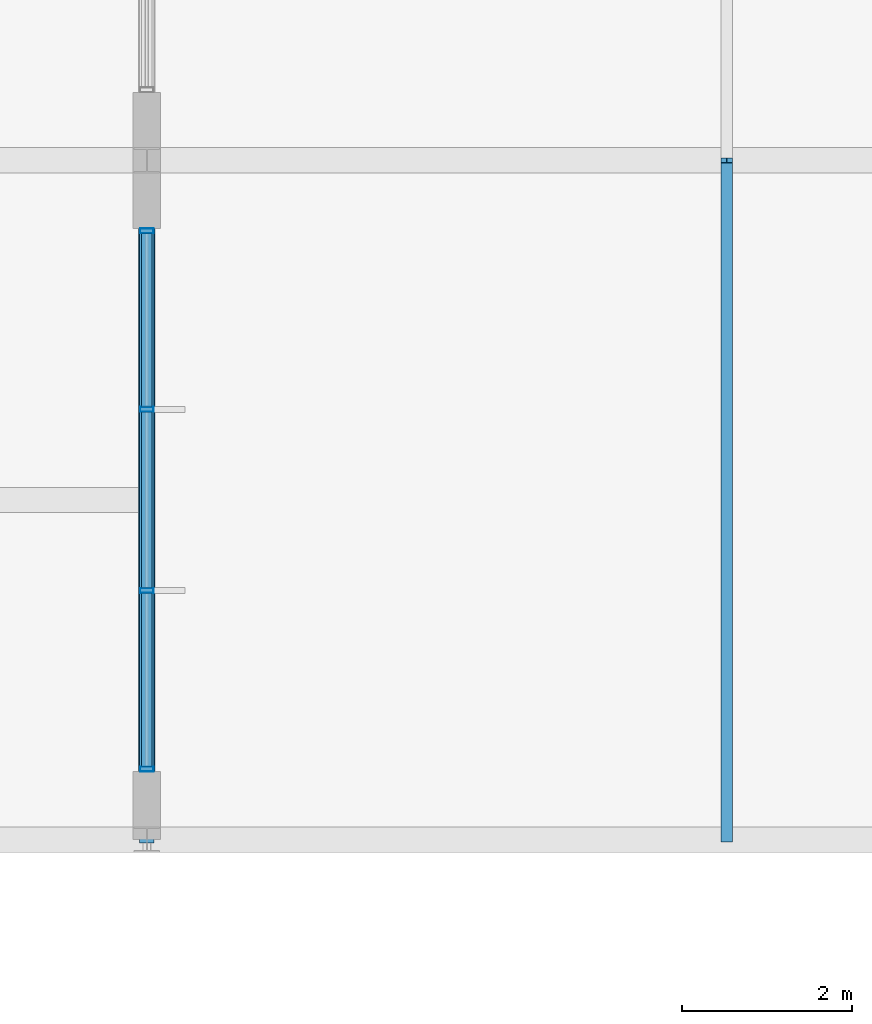
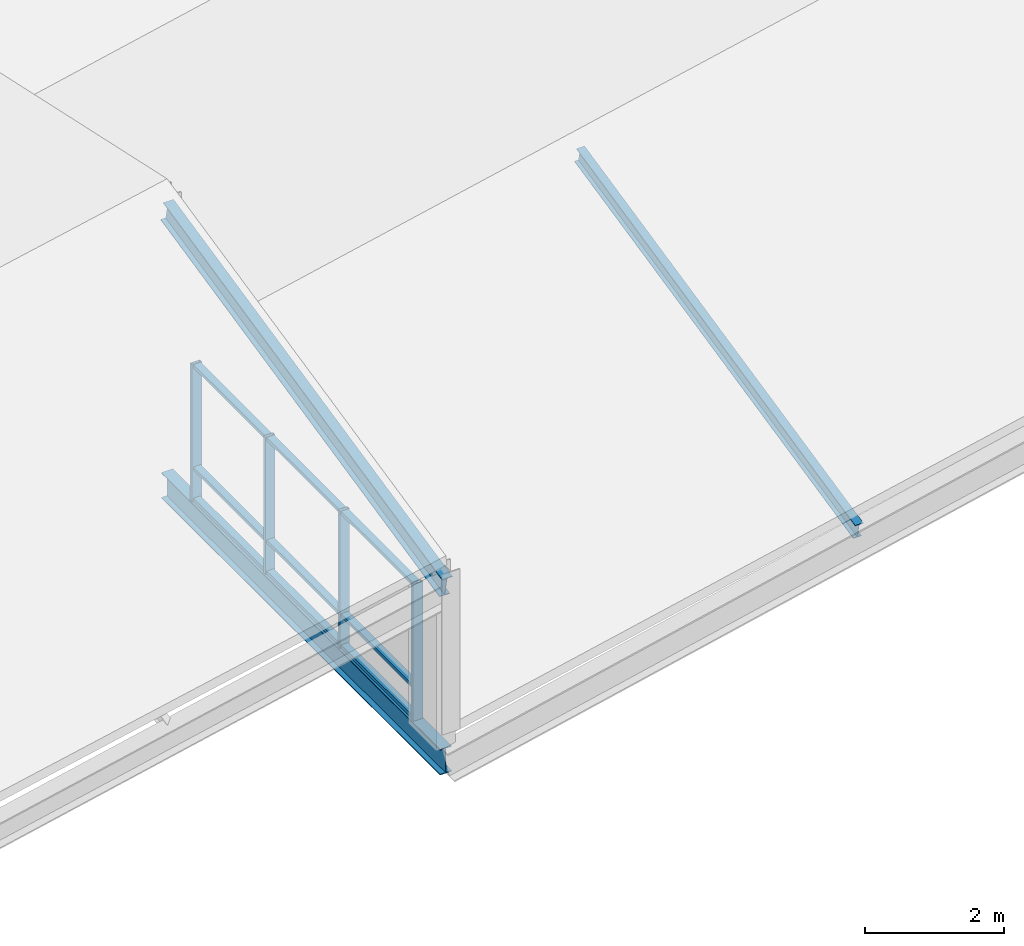
# One storey, part 42 of 109: 14 members, 2 beams, 1 element without a shape of its own.
"""IFC4 building model written with IfcOpenShell, lengths in metres."""

import ifcopenshell
import ifcopenshell.guid

model = None  # the IFC model being written
_history = None  # IfcOwnerHistory: only IFC2X3 demands one
_inside = {}  # id of a spatial element -> (the spatial element, [elements in it])
_under = {}  # id of a project, library or spatial element -> (it, [spatial elements below it])
_declared = {}  # id of a project -> (the project, [libraries it declares])
_typed = {}  # id of a type object -> (the type object, [elements of that type])
_made_of = {}  # id of a material, layer set ... -> (it, [elements and type objects made of it])


def new_model(schema):
    """Start an empty IFC model of exactly this schema.

    Asked for "IFC4X3", IfcOpenShell would pick the latest addendum, in which some entities
    have other attributes; the version numbers below select the first issue.
    IFC2X3 requires an IfcOwnerHistory on every rooted entity: one is made here for all.
    """
    global model, _history
    if schema == "IFC4X3":
        model = ifcopenshell.file(schema_version=(4, 3, 0, 0))
    else:
        model = ifcopenshell.file(schema=schema)
    _inside.clear()
    _under.clear()
    _declared.clear()
    _typed.clear()
    _made_of.clear()
    _history = None
    if model.schema == "IFC2X3":
        org = make("IfcOrganization", Name="unknown")
        user = make(
            "IfcPersonAndOrganization",
            ThePerson=make("IfcPerson", FamilyName="unknown"),
            TheOrganization=org,
        )
        app = make(
            "IfcApplication",
            ApplicationDeveloper=org,
            Version="unknown",
            ApplicationFullName="unknown",
            ApplicationIdentifier="unknown",
        )
        _history = make(
            "IfcOwnerHistory",
            OwningUser=user,
            OwningApplication=app,
            ChangeAction="ADDED",
            CreationDate=0,
        )
    return model


def make(cls, **values):
    """One entity of the class cls with the attributes given. An attribute that is None is left unset."""
    return model.create_entity(
        cls, **{name: value for name, value in values.items() if value is not None}
    )


def rooted(cls, **values):
    """An entity with a GlobalId (a new one), such as an element, a storey or a relation."""
    return make(cls, GlobalId=ifcopenshell.guid.new(), OwnerHistory=_history, **values)


def si_unit(unit_type, name, prefix=None):
    """IfcSIUnit, for example si_unit("LENGTHUNIT", "METRE", prefix="MILLI")."""
    return make("IfcSIUnit", UnitType=unit_type, Prefix=prefix, Name=name)


def assignment(units):
    """IfcUnitAssignment: the units of a project."""
    return None if units is None else make("IfcUnitAssignment", Units=units)


def point(xyz):
    """IfcCartesianPoint."""
    return None if xyz is None else make("IfcCartesianPoint", Coordinates=xyz)


def direction(xyz):
    """IfcDirection."""
    return None if xyz is None else make("IfcDirection", DirectionRatios=xyz)


def frame(location, z_axis=None, x_axis=None):
    """IfcAxis2Placement3D, a coordinate frame: its origin and axes. An axis left out is left unset."""
    return make(
        "IfcAxis2Placement3D",
        Location=point(location),
        Axis=direction(z_axis),
        RefDirection=direction(x_axis),
    )


def frame_2d(location, x_axis=None):
    """IfcAxis2Placement2D, a coordinate frame in the plane: its origin and x axis."""
    return make(
        "IfcAxis2Placement2D", Location=point(location), RefDirection=direction(x_axis)
    )


def origin():
    """The frame at (0, 0, 0) with its axes left unset."""
    return frame((0.0, 0.0, 0.0))


def origin_2d():
    """The frame at (0, 0) in the plane with its x axis left unset."""
    return frame_2d((0.0, 0.0))


def place(relative_to, where):
    """IfcLocalPlacement: puts the frame where relative to a parent placement (None: the world)."""
    return make(
        "IfcLocalPlacement", PlacementRelTo=relative_to, RelativePlacement=where
    )


def context(
    kind, dimensions, precision=None, world=None, true_north=None, identifier=None
):
    """IfcGeometricRepresentationContext, for example the 3D "Model" context."""
    return make(
        "IfcGeometricRepresentationContext",
        ContextIdentifier=identifier,
        ContextType=kind,
        CoordinateSpaceDimension=dimensions,
        Precision=precision,
        WorldCoordinateSystem=world,
        TrueNorth=true_north,
    )


def subcontext(parent, identifier, kind, view, scale=None):
    """IfcGeometricRepresentationSubContext, for example "Body" below "Model"."""
    return make(
        "IfcGeometricRepresentationSubContext",
        ContextIdentifier=identifier,
        ContextType=kind,
        ParentContext=parent,
        TargetScale=scale,
        TargetView=view,
    )


def project(units=None, contexts=None):
    """IfcProject with its units and contexts."""
    return rooted(
        "IfcProject",
        Name="project",
        RepresentationContexts=contexts,
        UnitsInContext=assignment(units),
    )


def spatial(cls, under=None, at=None, **own):
    """A site, building, storey or space (cls), placed at a placement, below another one or the project."""
    s = rooted(cls, ObjectPlacement=at, **own)
    if under is not None:
        _under.setdefault(under.id(), (under, []))[1].append(s)
    return s


def profile(cls, at=None, kind="AREA", **sizes):
    """A parametric profile (cls). Its sizes go by their IFC names, for example OverallWidth=200.0."""
    return make(cls, ProfileType=kind, Position=at, **sizes)


def hollow_rectangle(**sizes):
    """IfcRectangleHollowProfileDef."""
    return profile("IfcRectangleHollowProfileDef", **sizes)


def i_section(**sizes):
    """IfcIShapeProfileDef."""
    return profile("IfcIShapeProfileDef", **sizes)


def extrude(swept, where, along, depth):
    """IfcExtrudedAreaSolid: the profile swept, set in the frame where, extruded along a direction by depth."""
    return make(
        "IfcExtrudedAreaSolid",
        SweptArea=swept,
        Position=where,
        ExtrudedDirection=direction(along),
        Depth=depth,
    )


def shape(context_of_items, identifier, shape_type, items):
    """IfcShapeRepresentation: the items that make up one representation, for example the "Body"."""
    return make(
        "IfcShapeRepresentation",
        ContextOfItems=context_of_items,
        RepresentationIdentifier=identifier,
        RepresentationType=shape_type,
        Items=items,
    )


def material(Name=None, Category=None):
    """IfcMaterial."""
    return make("IfcMaterial", Name=Name, Category=Category)


def material_profile(
    of_material, cross_section, Name=None, Category=None, Priority=None
):
    """IfcMaterialProfile: a cross section and its material."""
    return make(
        "IfcMaterialProfile",
        Name=Name,
        Material=of_material,
        Profile=cross_section,
        Priority=Priority,
        Category=Category,
    )


def profile_set(profiles, Name=None, composite=None):
    """IfcMaterialProfileSet."""
    return make(
        "IfcMaterialProfileSet",
        Name=Name,
        MaterialProfiles=profiles,
        CompositeProfile=composite,
    )


def made_of(thing, what):
    """Note that an element or type object is made of a material, layer set ...; save() writes the relation."""
    if what is not None:
        _made_of.setdefault(what.id(), (what, []))[1].append(thing)
    return thing


def type_object(cls, material=None, **own):
    """A type object (cls), such as IfcWallType, which elements share."""
    return made_of(rooted(cls, **own), material)


def element(
    cls,
    number,
    at=None,
    inside=None,
    cuts=None,
    type_object=None,
    material=None,
    context=None,
    identifier="Body",
    shape_type=None,
    held_by="IfcProductDefinitionShape",
    body=None,
    shapes=None,
    **own,
):
    """One element of the class cls, such as IfcWall. Its Tag is "e" and its number.

    at: its placement. inside: the storey or other place that contains it. cuts: it is an
    opening in that element (IfcRelVoidsElement). A single representation is given by context,
    identifier, shape_type and body (its items); several are given by shapes. held_by: the class
    of the entity that holds the representations. save() writes the other relations.
    """
    e = rooted(cls, Tag="e%d" % number, ObjectPlacement=at, **own)
    if body is not None:
        shapes = [shape(context, identifier, shape_type, body)]
    if shapes is not None:
        e.Representation = make(held_by, Representations=shapes)
    if inside is not None:
        _inside.setdefault(inside.id(), (inside, []))[1].append(e)
    if cuts is not None:
        rooted(
            "IfcRelVoidsElement", RelatingBuildingElement=cuts, RelatedOpeningElement=e
        )
    if type_object is not None:
        _typed.setdefault(type_object.id(), (type_object, []))[1].append(e)
    return made_of(e, material)


def aggregate(whole, parts):
    """IfcRelAggregates: a whole, such as a stair, and the parts it consists of."""
    return rooted("IfcRelAggregates", RelatingObject=whole, RelatedObjects=parts)


def save(model, path):
    """Write the relations noted so far, then the file.

    IfcRelAggregates (storeys below a building ...), IfcRelContainedInSpatialStructure (elements
    in a storey), IfcRelDefinesByType, IfcRelAssociatesMaterial and IfcRelDeclares: one each for
    every whole, place, type object, material and project.
    """
    for whole, parts in _under.values():
        aggregate(whole, parts)
    for where, things in _inside.values():
        rooted(
            "IfcRelContainedInSpatialStructure",
            RelatedElements=things,
            RelatingStructure=where,
        )
    for kind, things in _typed.values():
        rooted("IfcRelDefinesByType", RelatedObjects=things, RelatingType=kind)
    for what, things in _made_of.values():
        rooted("IfcRelAssociatesMaterial", RelatedObjects=things, RelatingMaterial=what)
    for by, libraries in _declared.values():
        rooted("IfcRelDeclares", RelatingContext=by, RelatedDefinitions=libraries)
    model.write(path)


model = new_model("IFC4")

# Units and contexts
model_context = context("Model", 3, precision=1e-05, world=origin(), true_north=direction((0.0, 1.0)))
body_context = subcontext(model_context, "Body", "Model", "MODEL_VIEW")
ifc_project = project(units=[si_unit("LENGTHUNIT", "METRE"), si_unit("AREAUNIT", "SQUARE_METRE"), si_unit("VOLUMEUNIT", "CUBIC_METRE"), si_unit("PLANEANGLEUNIT", "RADIAN"), si_unit("MASSUNIT", "GRAM", prefix="KILO")], contexts=[model_context])

# Site, building, storey
site_placement = place(None, origin())
site = spatial("IfcSite", under=ifc_project, at=site_placement, CompositionType="ELEMENT")
building_placement = place(site_placement, origin())
building = spatial("IfcBuilding", under=site, at=building_placement, Name="Zavelmont Quarter", CompositionType="ELEMENT")
storey_placement = place(building_placement, frame((0.0, 0.0, 8.0)))
storey = spatial("IfcBuildingStorey", under=building, at=storey_placement, Name="L02", CompositionType="ELEMENT", Elevation=8.0)

# Beams
ifc_material_1 = material(Name="Steel S355", Category="steel")
ifc_material_profile_1 = material_profile(ifc_material_1, i_section(OverallWidth=0.18994140625, OverallDepth=0.449951171875, WebThickness=0.009521484375, FlangeThickness=0.0146484375, at=origin_2d()), Name="IPE 450")
ifc_profile_set_1 = profile_set([ifc_material_profile_1], Name="Steel S355")
beam_type_1 = type_object("IfcBeamType", Name="BM12", PredefinedType="BEAM", material=ifc_profile_set_1)
beam_1_placement = place(storey_placement, frame((147.300048828125, 38.0, -0.5849609375), z_axis=(0.0, 1.0, 0.0), x_axis=(-1.0, 0.0, 0.0)))
element("IfcBeam", 1, at=beam_1_placement, inside=storey, type_object=beam_type_1, Name="L02 beam BM12 22/G to 22/H", PredefinedType="BEAM", context=body_context, shape_type="SweptSolid", body=[
    extrude(i_section(OverallWidth=0.18994140625, OverallDepth=0.449951171875, WebThickness=0.009521484375, FlangeThickness=0.0146484375, at=origin_2d()), origin(), (0.0, 0.0, 1.0), 8.0),
])
ifc_material_profile_2 = material_profile(ifc_material_1, i_section(OverallWidth=0.169921875, OverallDepth=0.360107421875, WebThickness=0.008056640625, FlangeThickness=0.0126953125, at=origin_2d()), Name="IPE 360")
ifc_profile_set_2 = profile_set([ifc_material_profile_2], Name="Steel S355")
beam_type_2 = type_object("IfcBeamType", Name="BM13", PredefinedType="BEAM", material=ifc_profile_set_2)
beam_2_placement = place(storey_placement, frame((147.300048828125, 38.0, 2.4599609375), z_axis=(0.0, 0.976900017396, 0.213696878805), x_axis=(-1.0, 0.0, 0.0)))
element("IfcBeam", 2, at=beam_2_placement, inside=storey, type_object=beam_type_2, Name="L02 beam BM13 22/G to 22/H", PredefinedType="BEAM", context=body_context, shape_type="SweptSolid", body=[
    extrude(i_section(OverallWidth=0.169921875, OverallDepth=0.360107421875, WebThickness=0.008056640625, FlangeThickness=0.0126953125, at=origin_2d()), origin(), (0.0, 0.0, 1.0), 8.189208984375),
])

# Curtain wall, members
ifc_material_2 = material(Name="Thermally broken aluminium and double low-E safety glazing", Category="aluminium")
curtain_wall_type = type_object("IfcCurtainWallType", Name="CW-640X240", PredefinedType="NOTDEFINED", material=ifc_material_2)
curtain_wall_placement = place(storey_placement, origin())
curtain_wall = element("IfcCurtainWall", 3, at=curtain_wall_placement, inside=storey, type_object=curtain_wall_type, Name="L02 unitised curtain wall CW-640X240", PredefinedType="NOTDEFINED")
ifc_material_3 = material(Name="Powder-coated aluminium EN AW-6063-T6", Category="aluminium")
ifc_material_profile_3 = material_profile(ifc_material_3, hollow_rectangle(XDim=0.06005859375, YDim=0.159912109375, WallThickness=0.00390625, at=origin_2d()), Name="CWM60X160")
ifc_profile_set_3 = profile_set([ifc_material_profile_3], Name="Powder-coated aluminium EN AW-6063-T6")
member_type_1 = type_object("IfcMemberType", Name="CWM01", PredefinedType="MULLION", material=ifc_profile_set_3)
member_1_placement = place(storey_placement, frame((147.300048828125, 38.830078125, -0.360107421875), z_axis=(0.0, 0.0, 1.0), x_axis=(0.0, 1.0, 0.0)))
member_1 = element("IfcMember", 4, at=member_1_placement, type_object=member_type_1, Name="CW-640X240 mullion 1", PredefinedType="MULLION", context=body_context, shape_type="SweptSolid", body=[
    extrude(hollow_rectangle(XDim=0.06005859375, YDim=0.159912109375, WallThickness=0.00390625, at=origin_2d()), origin(), (0.0, 0.0, 1.0), 2.400146484375),
])
member_2_placement = place(storey_placement, frame((147.300048828125, 40.933349609375, -0.360107421875), z_axis=(0.0, 0.0, 1.0), x_axis=(0.0, 1.0, 0.0)))
member_2 = element("IfcMember", 5, at=member_2_placement, type_object=member_type_1, Name="CW-640X240 mullion 2", PredefinedType="MULLION", context=body_context, shape_type="SweptSolid", body=[
    extrude(hollow_rectangle(XDim=0.06005859375, YDim=0.159912109375, WallThickness=0.00390625, at=origin_2d()), origin(), (0.0, 0.0, 1.0), 2.400146484375),
])
member_3_placement = place(storey_placement, frame((147.300048828125, 43.066650390625, -0.360107421875), z_axis=(0.0, 0.0, 1.0), x_axis=(0.0, 1.0, 0.0)))
member_3 = element("IfcMember", 6, at=member_3_placement, type_object=member_type_1, Name="CW-640X240 mullion 3", PredefinedType="MULLION", context=body_context, shape_type="SweptSolid", body=[
    extrude(hollow_rectangle(XDim=0.06005859375, YDim=0.159912109375, WallThickness=0.00390625, at=origin_2d()), origin(), (0.0, 0.0, 1.0), 2.400146484375),
])
member_4_placement = place(storey_placement, frame((147.300048828125, 45.169921875, -0.360107421875), z_axis=(0.0, 0.0, 1.0), x_axis=(0.0, 1.0, 0.0)))
member_4 = element("IfcMember", 7, at=member_4_placement, type_object=member_type_1, Name="CW-640X240 mullion 4", PredefinedType="MULLION", context=body_context, shape_type="SweptSolid", body=[
    extrude(hollow_rectangle(XDim=0.06005859375, YDim=0.159912109375, WallThickness=0.00390625, at=origin_2d()), origin(), (0.0, 0.0, 1.0), 2.400146484375),
])
ifc_material_profile_4 = material_profile(ifc_material_3, hollow_rectangle(XDim=0.1201171875, YDim=0.06005859375, WallThickness=0.00390625, at=origin_2d()), Name="CWT60X120")
ifc_profile_set_4 = profile_set([ifc_material_profile_4], Name="Powder-coated aluminium EN AW-6063-T6")
member_type_2 = type_object("IfcMemberType", Name="CWT01", PredefinedType="NOTDEFINED", material=ifc_profile_set_4)
member_5_placement = place(storey_placement, frame((147.300048828125, 38.860107421875, -0.330078125), z_axis=(0.0, 1.0, 0.0), x_axis=(-1.0, 0.0, 0.0)))
member_5 = element("IfcMember", 8, at=member_5_placement, type_object=member_type_2, Name="CW-640X240 transom 1.1", ObjectType="TRANSOM", PredefinedType="USERDEFINED", context=body_context, shape_type="SweptSolid", body=[
    extrude(hollow_rectangle(XDim=0.1201171875, YDim=0.06005859375, WallThickness=0.00390625, at=origin_2d()), origin(), (0.0, 0.0, 1.0), 2.043212890625),
])
member_6_placement = place(storey_placement, frame((147.300048828125, 38.860107421875, 0.216064453125), z_axis=(0.0, 1.0, 0.0), x_axis=(-1.0, 0.0, 0.0)))
member_6 = element("IfcMember", 9, at=member_6_placement, type_object=member_type_2, Name="CW-640X240 transom 1.2", ObjectType="TRANSOM", PredefinedType="USERDEFINED", context=body_context, shape_type="SweptSolid", body=[
    extrude(hollow_rectangle(XDim=0.1201171875, YDim=0.06005859375, WallThickness=0.00390625, at=origin_2d()), origin(), (0.0, 0.0, 1.0), 2.043212890625),
])
member_7_placement = place(storey_placement, frame((147.300048828125, 38.860107421875, 2.010009765625), z_axis=(0.0, 1.0, 0.0), x_axis=(-1.0, 0.0, 0.0)))
member_7 = element("IfcMember", 10, at=member_7_placement, type_object=member_type_2, Name="CW-640X240 transom 1.3", ObjectType="TRANSOM", PredefinedType="USERDEFINED", context=body_context, shape_type="SweptSolid", body=[
    extrude(hollow_rectangle(XDim=0.1201171875, YDim=0.06005859375, WallThickness=0.00390625, at=origin_2d()), origin(), (0.0, 0.0, 1.0), 2.043212890625),
])
member_8_placement = place(storey_placement, frame((147.300048828125, 40.96337890625, -0.330078125), z_axis=(0.0, 1.0, 0.0), x_axis=(-1.0, 0.0, 0.0)))
member_8 = element("IfcMember", 11, at=member_8_placement, type_object=member_type_2, Name="CW-640X240 transom 2.1", ObjectType="TRANSOM", PredefinedType="USERDEFINED", context=body_context, shape_type="SweptSolid", body=[
    extrude(hollow_rectangle(XDim=0.1201171875, YDim=0.06005859375, WallThickness=0.00390625, at=origin_2d()), origin(), (0.0, 0.0, 1.0), 2.0732421875),
])
member_9_placement = place(storey_placement, frame((147.300048828125, 40.96337890625, 0.216064453125), z_axis=(0.0, 1.0, 0.0), x_axis=(-1.0, 0.0, 0.0)))
member_9 = element("IfcMember", 12, at=member_9_placement, type_object=member_type_2, Name="CW-640X240 transom 2.2", ObjectType="TRANSOM", PredefinedType="USERDEFINED", context=body_context, shape_type="SweptSolid", body=[
    extrude(hollow_rectangle(XDim=0.1201171875, YDim=0.06005859375, WallThickness=0.00390625, at=origin_2d()), origin(), (0.0, 0.0, 1.0), 2.0732421875),
])
member_10_placement = place(storey_placement, frame((147.300048828125, 40.96337890625, 2.010009765625), z_axis=(0.0, 1.0, 0.0), x_axis=(-1.0, 0.0, 0.0)))
member_10 = element("IfcMember", 13, at=member_10_placement, type_object=member_type_2, Name="CW-640X240 transom 2.3", ObjectType="TRANSOM", PredefinedType="USERDEFINED", context=body_context, shape_type="SweptSolid", body=[
    extrude(hollow_rectangle(XDim=0.1201171875, YDim=0.06005859375, WallThickness=0.00390625, at=origin_2d()), origin(), (0.0, 0.0, 1.0), 2.0732421875),
])
member_11_placement = place(storey_placement, frame((147.300048828125, 43.0966796875, -0.330078125), z_axis=(0.0, 1.0, 0.0), x_axis=(-1.0, 0.0, 0.0)))
member_11 = element("IfcMember", 14, at=member_11_placement, type_object=member_type_2, Name="CW-640X240 transom 3.1", ObjectType="TRANSOM", PredefinedType="USERDEFINED", context=body_context, shape_type="SweptSolid", body=[
    extrude(hollow_rectangle(XDim=0.1201171875, YDim=0.06005859375, WallThickness=0.00390625, at=origin_2d()), origin(), (0.0, 0.0, 1.0), 2.043212890625),
])
member_12_placement = place(storey_placement, frame((147.300048828125, 43.0966796875, 0.216064453125), z_axis=(0.0, 1.0, 0.0), x_axis=(-1.0, 0.0, 0.0)))
member_12 = element("IfcMember", 15, at=member_12_placement, type_object=member_type_2, Name="CW-640X240 transom 3.2", ObjectType="TRANSOM", PredefinedType="USERDEFINED", context=body_context, shape_type="SweptSolid", body=[
    extrude(hollow_rectangle(XDim=0.1201171875, YDim=0.06005859375, WallThickness=0.00390625, at=origin_2d()), origin(), (0.0, 0.0, 1.0), 2.043212890625),
])
member_13_placement = place(storey_placement, frame((147.300048828125, 43.0966796875, 2.010009765625), z_axis=(0.0, 1.0, 0.0), x_axis=(-1.0, 0.0, 0.0)))
member_13 = element("IfcMember", 16, at=member_13_placement, type_object=member_type_2, Name="CW-640X240 transom 3.3", ObjectType="TRANSOM", PredefinedType="USERDEFINED", context=body_context, shape_type="SweptSolid", body=[
    extrude(hollow_rectangle(XDim=0.1201171875, YDim=0.06005859375, WallThickness=0.00390625, at=origin_2d()), origin(), (0.0, 0.0, 1.0), 2.043212890625),
])
aggregate(curtain_wall, [member_1, member_2, member_3, member_4, member_5, member_6, member_7, member_8, member_9, member_10, member_11, member_12, member_13])

# Member
ifc_material_profile_5 = material_profile(ifc_material_1, i_section(OverallWidth=0.135009765625, OverallDepth=0.27001953125, WebThickness=0.006591796875, FlangeThickness=0.01025390625, at=origin_2d()), Name="IPE 270")
ifc_profile_set_5 = profile_set([ifc_material_profile_5], Name="Steel S355")
member_type_3 = type_object("IfcMemberType", Name="PR01", PredefinedType="PURLIN", material=ifc_profile_set_5)
member_14_placement = place(storey_placement, frame((154.131103515625, 38.0, 1.04638671875), z_axis=(0.0, 0.976900017396, 0.213696878805), x_axis=(-1.0, 0.0, 0.0)))
element("IfcMember", 17, at=member_14_placement, inside=storey, type_object=member_type_3, Name="L02 member PR01 23/G to 23/H", PredefinedType="PURLIN", context=body_context, shape_type="SweptSolid", body=[
    extrude(i_section(OverallWidth=0.135009765625, OverallDepth=0.27001953125, WebThickness=0.006591796875, FlangeThickness=0.01025390625, at=origin_2d()), origin(), (0.0, 0.0, 1.0), 8.189208984375),
])

save(model, "model.ifc")
